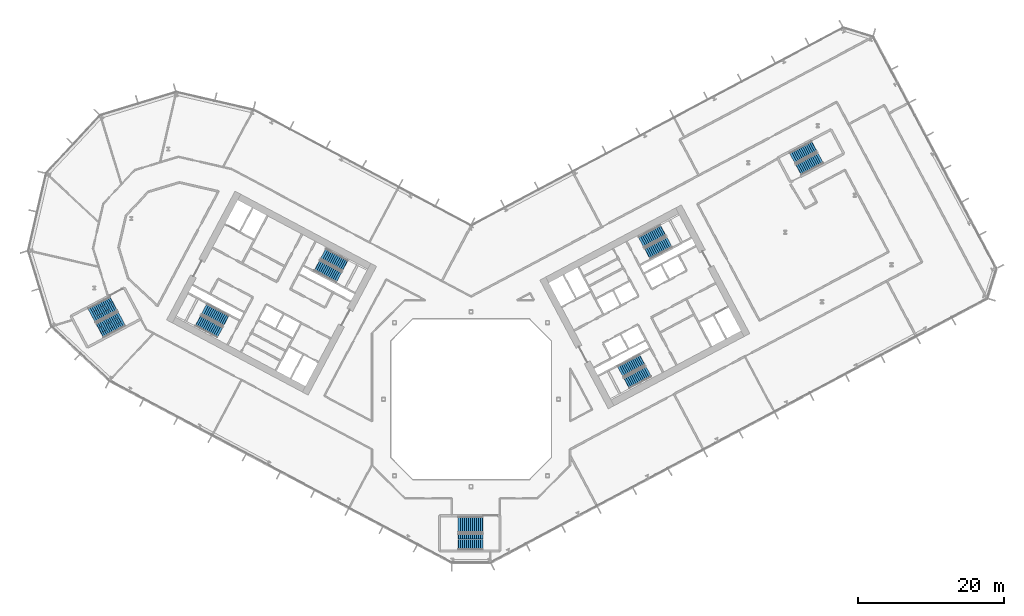
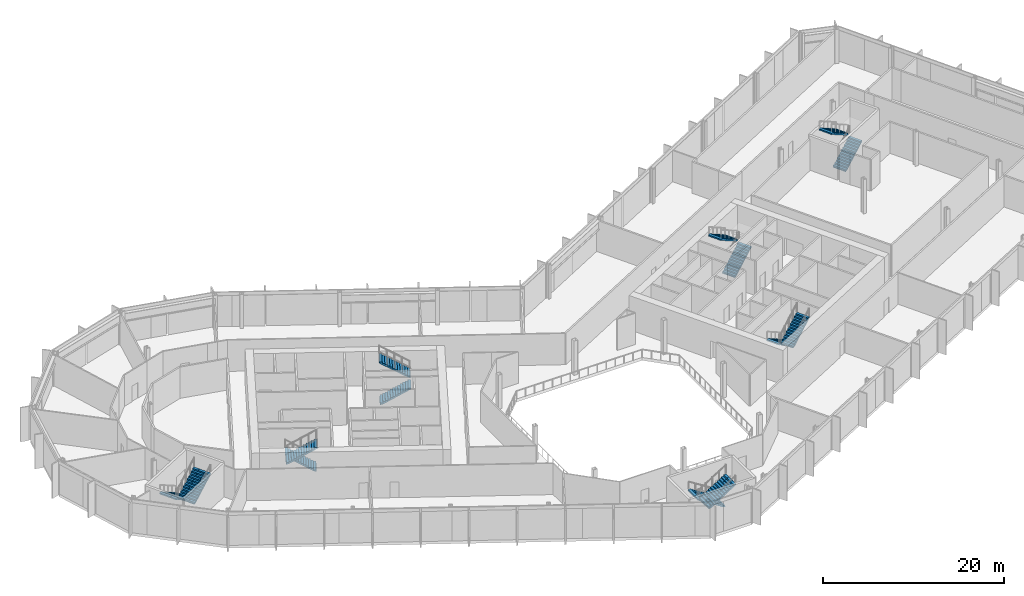
# One storey, part 19 of 30: 14 stair flights, 7 elements without a shape of their own.
"""IFC4 building model written with IfcOpenShell, lengths in metres."""

from ifc_helpers import new_model, si_unit, direction, frame, origin, place, context, subcontext, project, spatial, polyline, outline, extrude, material, type_object, element, aggregate, save


model = new_model("IFC4")

# Units and contexts
model_context = context("Model", 3, precision=1e-05, world=origin(), true_north=direction((0.0, 1.0)))
body_context = subcontext(model_context, "Body", "Model", "MODEL_VIEW")
ifc_project = project(units=[si_unit("LENGTHUNIT", "METRE"), si_unit("AREAUNIT", "SQUARE_METRE"), si_unit("VOLUMEUNIT", "CUBIC_METRE"), si_unit("PLANEANGLEUNIT", "RADIAN"), si_unit("MASSUNIT", "GRAM", prefix="KILO")], contexts=[model_context])

# Site, building, storey
site_placement = place(None, origin())
site = spatial("IfcSite", under=ifc_project, at=site_placement, CompositionType="ELEMENT")
building_placement = place(site_placement, origin())
building = spatial("IfcBuilding", under=site, at=building_placement, Name="Cormorant Relay Tower", CompositionType="ELEMENT")
storey_placement = place(building_placement, frame((0.0, 0.0, 89.199951171875)))
storey = spatial("IfcBuildingStorey", under=building, at=storey_placement, Name="L17", CompositionType="ELEMENT", Elevation=89.199951171875)

# Stair, stair flights
ifc_material_1 = material(Name="Concrete 40 MPa", Category="concrete")
stair_type_1 = type_object("IfcStairType", Name="Exit stair 1500", PredefinedType="HALF_TURN_STAIR", material=ifc_material_1)
stair_1_placement = place(storey_placement, origin())
stair_1 = element("IfcStair", 1, at=stair_1_placement, inside=storey, type_object=stair_type_1, Name="L17 Stair", PredefinedType="HALF_TURN_STAIR")
ifc_material_2 = material(Name="Concrete 40 MPa", Category="concrete")
stair_flight_type_1 = type_object("IfcStairFlightType", Name="Exit stair flight 1650", PredefinedType="STRAIGHT", material=ifc_material_2)
stair_flight_1_placement = place(storey_placement, frame((-21.114501953125, 18.33349609375, 0.0), z_axis=(0.0, 0.0, 1.0), x_axis=(0.882947592859, -0.469471562786, 0.0)))
stair_flight_1 = element("IfcStairFlight", 2, at=stair_flight_1_placement, type_object=stair_flight_type_1, Name="A1 flight 1", NumberOfRisers=13, NumberOfTreads=12, PredefinedType="STRAIGHT", RiserHeight=0.176923077, TreadLength=0.28, context=body_context, shape_type="SweptSolid", body=[
    extrude(outline(polyline([(-0.050048828125, -0.080078125), (-0.050048828125, 0.0), (0.0, 0.0), (0.0, 0.177001953125), (0.280029296875, 0.177001953125), (0.280029296875, 0.353759765625), (0.56005859375, 0.353759765625), (0.56005859375, 0.53076171875), (0.840087890625, 0.53076171875), (0.840087890625, 0.707763671875), (1.1201171875, 0.707763671875), (1.1201171875, 0.884521484375), (1.39990234375, 0.884521484375), (1.39990234375, 1.0615234375), (1.679931640625, 1.0615234375), (1.679931640625, 1.238525390625), (1.9599609375, 1.238525390625), (1.9599609375, 1.415283203125), (2.239990234375, 1.415283203125), (2.239990234375, 1.59228515625), (2.52001953125, 1.59228515625), (2.52001953125, 1.769287109375), (2.800048828125, 1.769287109375), (2.800048828125, 1.946044921875), (3.080078125, 1.946044921875), (3.080078125, 2.123046875), (3.360107421875, 2.123046875), (3.41015625, 2.123046875), (3.41015625, 1.94580078125), (3.360107421875, 1.94580078125), (0.280517578125, 0.0), (-0.050048828125, -0.080078125)])), frame((0.0, 0.824951171875, 0.0), z_axis=(0.0, -1.0, 0.0), x_axis=(1.0, 0.0, 0.0)), (0.0, 0.0, 1.0), 1.64990234375),
])
stair_flight_2_placement = place(storey_placement, frame((-17.302734375, 18.345458984375, 2.300048828125), z_axis=(0.0, 0.0, 1.0), x_axis=(-0.882947592859, 0.469471562786, 0.0)))
stair_flight_2 = element("IfcStairFlight", 3, at=stair_flight_2_placement, type_object=stair_flight_type_1, Name="A1 flight 2", NumberOfRisers=13, NumberOfTreads=12, PredefinedType="STRAIGHT", RiserHeight=0.176923077, TreadLength=0.28, context=body_context, shape_type="SweptSolid", body=[
    extrude(outline(polyline([(-0.050048828125, -0.080078125), (-0.050048828125, 0.0), (0.0, 0.0), (0.0, 0.177001953125), (0.280029296875, 0.177001953125), (0.280029296875, 0.353759765625), (0.56005859375, 0.353759765625), (0.56005859375, 0.53076171875), (0.840087890625, 0.53076171875), (0.840087890625, 0.707763671875), (1.1201171875, 0.707763671875), (1.1201171875, 0.884521484375), (1.39990234375, 0.884521484375), (1.39990234375, 1.0615234375), (1.679931640625, 1.0615234375), (1.679931640625, 1.238525390625), (1.9599609375, 1.238525390625), (1.9599609375, 1.415283203125), (2.239990234375, 1.415283203125), (2.239990234375, 1.59228515625), (2.52001953125, 1.59228515625), (2.52001953125, 1.769287109375), (2.800048828125, 1.769287109375), (2.800048828125, 1.946044921875), (3.080078125, 1.946044921875), (3.080078125, 2.123046875), (3.360107421875, 2.123046875), (3.41015625, 2.123046875), (3.41015625, 1.94580078125), (3.360107421875, 1.94580078125), (0.280517578125, 0.0), (-0.050048828125, -0.080078125)])), frame((0.0, 0.824951171875, 0.0), z_axis=(0.0, -1.0, 0.0), x_axis=(1.0, 0.0, 0.0)), (0.0, 0.0, 1.0), 1.64990234375),
])
aggregate(stair_1, [stair_flight_1, stair_flight_2])

stair_2_placement = place(storey_placement, origin())
stair_2 = element("IfcStair", 4, at=stair_2_placement, inside=storey, type_object=stair_type_1, Name="L17 Stair", PredefinedType="HALF_TURN_STAIR")
stair_flight_3_placement = place(storey_placement, frame((-33.62841796875, 10.773681640625, 0.0), z_axis=(0.0, 0.0, 1.0), x_axis=(-0.882947592859, 0.469471562786, 0.0)))
stair_flight_3 = element("IfcStairFlight", 5, at=stair_flight_3_placement, type_object=stair_flight_type_1, Name="A2 flight 1", NumberOfRisers=13, NumberOfTreads=12, PredefinedType="STRAIGHT", RiserHeight=0.176923077, TreadLength=0.28, context=body_context, shape_type="SweptSolid", body=[
    extrude(outline(polyline([(-0.050048828125, -0.080078125), (-0.050048828125, 0.0), (0.0, 0.0), (0.0, 0.177001953125), (0.280029296875, 0.177001953125), (0.280029296875, 0.353759765625), (0.56005859375, 0.353759765625), (0.56005859375, 0.53076171875), (0.840087890625, 0.53076171875), (0.840087890625, 0.707763671875), (1.1201171875, 0.707763671875), (1.1201171875, 0.884521484375), (1.39990234375, 0.884521484375), (1.39990234375, 1.0615234375), (1.679931640625, 1.0615234375), (1.679931640625, 1.238525390625), (1.9599609375, 1.238525390625), (1.9599609375, 1.415283203125), (2.239990234375, 1.415283203125), (2.239990234375, 1.59228515625), (2.52001953125, 1.59228515625), (2.52001953125, 1.769287109375), (2.800048828125, 1.769287109375), (2.800048828125, 1.946044921875), (3.080078125, 1.946044921875), (3.080078125, 2.123046875), (3.360107421875, 2.123046875), (3.41015625, 2.123046875), (3.41015625, 1.94580078125), (3.360107421875, 1.94580078125), (0.280517578125, 0.0), (-0.050048828125, -0.080078125)])), frame((0.0, 0.824951171875, 0.0), z_axis=(0.0, -1.0, 0.0), x_axis=(1.0, 0.0, 0.0)), (0.0, 0.0, 1.0), 1.64990234375),
])
stair_flight_4_placement = place(storey_placement, frame((-37.440185546875, 10.76171875, 2.300048828125), z_axis=(0.0, 0.0, 1.0), x_axis=(0.882947592859, -0.469471562786, 0.0)))
stair_flight_4 = element("IfcStairFlight", 6, at=stair_flight_4_placement, type_object=stair_flight_type_1, Name="A2 flight 2", NumberOfRisers=13, NumberOfTreads=12, PredefinedType="STRAIGHT", RiserHeight=0.176923077, TreadLength=0.28, context=body_context, shape_type="SweptSolid", body=[
    extrude(outline(polyline([(-0.050048828125, -0.080078125), (-0.050048828125, 0.0), (0.0, 0.0), (0.0, 0.177001953125), (0.280029296875, 0.177001953125), (0.280029296875, 0.353759765625), (0.56005859375, 0.353759765625), (0.56005859375, 0.53076171875), (0.840087890625, 0.53076171875), (0.840087890625, 0.707763671875), (1.1201171875, 0.707763671875), (1.1201171875, 0.884521484375), (1.39990234375, 0.884521484375), (1.39990234375, 1.0615234375), (1.679931640625, 1.0615234375), (1.679931640625, 1.238525390625), (1.9599609375, 1.238525390625), (1.9599609375, 1.415283203125), (2.239990234375, 1.415283203125), (2.239990234375, 1.59228515625), (2.52001953125, 1.59228515625), (2.52001953125, 1.769287109375), (2.800048828125, 1.769287109375), (2.800048828125, 1.946044921875), (3.080078125, 1.946044921875), (3.080078125, 2.123046875), (3.360107421875, 2.123046875), (3.41015625, 2.123046875), (3.41015625, 1.94580078125), (3.360107421875, 1.94580078125), (0.280517578125, 0.0), (-0.050048828125, -0.080078125)])), frame((0.0, 0.824951171875, 0.0), z_axis=(0.0, -1.0, 0.0), x_axis=(1.0, 0.0, 0.0)), (0.0, 0.0, 1.0), 1.64990234375),
])
aggregate(stair_2, [stair_flight_3, stair_flight_4])

stair_3_placement = place(storey_placement, origin())
stair_3 = element("IfcStair", 7, at=stair_3_placement, inside=storey, type_object=stair_type_1, Name="L17 Stair", PredefinedType="HALF_TURN_STAIR")
stair_flight_5_placement = place(storey_placement, frame((23.474365234375, 5.374755859375, 0.0), z_axis=(0.0, 0.0, 1.0), x_axis=(-0.882947592859, -0.469471562786, 0.0)))
stair_flight_5 = element("IfcStairFlight", 8, at=stair_flight_5_placement, type_object=stair_flight_type_1, Name="B1 flight 1", NumberOfRisers=13, NumberOfTreads=12, PredefinedType="STRAIGHT", RiserHeight=0.176923077, TreadLength=0.28, context=body_context, shape_type="SweptSolid", body=[
    extrude(outline(polyline([(-0.050048828125, -0.080078125), (-0.050048828125, 0.0), (0.0, 0.0), (0.0, 0.177001953125), (0.280029296875, 0.177001953125), (0.280029296875, 0.353759765625), (0.56005859375, 0.353759765625), (0.56005859375, 0.53076171875), (0.840087890625, 0.53076171875), (0.840087890625, 0.707763671875), (1.1201171875, 0.707763671875), (1.1201171875, 0.884521484375), (1.39990234375, 0.884521484375), (1.39990234375, 1.0615234375), (1.679931640625, 1.0615234375), (1.679931640625, 1.238525390625), (1.9599609375, 1.238525390625), (1.9599609375, 1.415283203125), (2.239990234375, 1.415283203125), (2.239990234375, 1.59228515625), (2.52001953125, 1.59228515625), (2.52001953125, 1.769287109375), (2.800048828125, 1.769287109375), (2.800048828125, 1.946044921875), (3.080078125, 1.946044921875), (3.080078125, 2.123046875), (3.360107421875, 2.123046875), (3.41015625, 2.123046875), (3.41015625, 1.94580078125), (3.360107421875, 1.94580078125), (0.280517578125, 0.0), (-0.050048828125, -0.080078125)])), frame((0.0, 0.824951171875, 0.0), z_axis=(0.0, -1.0, 0.0), x_axis=(1.0, 0.0, 0.0)), (0.0, 0.0, 1.0), 1.64990234375),
])
stair_flight_6_placement = place(storey_placement, frame((21.352783203125, 2.2080078125, 2.300048828125), z_axis=(0.0, 0.0, 1.0), x_axis=(0.882947592859, 0.469471562786, 0.0)))
stair_flight_6 = element("IfcStairFlight", 9, at=stair_flight_6_placement, type_object=stair_flight_type_1, Name="B1 flight 2", NumberOfRisers=13, NumberOfTreads=12, PredefinedType="STRAIGHT", RiserHeight=0.176923077, TreadLength=0.28, context=body_context, shape_type="SweptSolid", body=[
    extrude(outline(polyline([(-0.050048828125, -0.080078125), (-0.050048828125, 0.0), (0.0, 0.0), (0.0, 0.177001953125), (0.280029296875, 0.177001953125), (0.280029296875, 0.353759765625), (0.56005859375, 0.353759765625), (0.56005859375, 0.53076171875), (0.840087890625, 0.53076171875), (0.840087890625, 0.707763671875), (1.1201171875, 0.707763671875), (1.1201171875, 0.884521484375), (1.39990234375, 0.884521484375), (1.39990234375, 1.0615234375), (1.679931640625, 1.0615234375), (1.679931640625, 1.238525390625), (1.9599609375, 1.238525390625), (1.9599609375, 1.415283203125), (2.239990234375, 1.415283203125), (2.239990234375, 1.59228515625), (2.52001953125, 1.59228515625), (2.52001953125, 1.769287109375), (2.800048828125, 1.769287109375), (2.800048828125, 1.946044921875), (3.080078125, 1.946044921875), (3.080078125, 2.123046875), (3.360107421875, 2.123046875), (3.41015625, 2.123046875), (3.41015625, 1.94580078125), (3.360107421875, 1.94580078125), (0.280517578125, 0.0), (-0.050048828125, -0.080078125)])), frame((0.0, 0.824951171875, 0.0), z_axis=(0.0, -1.0, 0.0), x_axis=(1.0, 0.0, 0.0)), (0.0, 0.0, 1.0), 1.64990234375),
])
aggregate(stair_3, [stair_flight_5, stair_flight_6])

stair_4_placement = place(storey_placement, origin())
stair_4 = element("IfcStair", 10, at=stair_4_placement, inside=storey, type_object=stair_type_1, Name="L17 Stair", PredefinedType="HALF_TURN_STAIR")
stair_flight_7_placement = place(storey_placement, frame((24.20458984375, 19.976806640625, 0.0), z_axis=(0.0, 0.0, 1.0), x_axis=(0.882947592859, 0.469471562786, 0.0)))
stair_flight_7 = element("IfcStairFlight", 11, at=stair_flight_7_placement, type_object=stair_flight_type_1, Name="B2 flight 1", NumberOfRisers=13, NumberOfTreads=12, PredefinedType="STRAIGHT", RiserHeight=0.176923077, TreadLength=0.28, context=body_context, shape_type="SweptSolid", body=[
    extrude(outline(polyline([(-0.050048828125, -0.080078125), (-0.050048828125, 0.0), (0.0, 0.0), (0.0, 0.177001953125), (0.280029296875, 0.177001953125), (0.280029296875, 0.353759765625), (0.56005859375, 0.353759765625), (0.56005859375, 0.53076171875), (0.840087890625, 0.53076171875), (0.840087890625, 0.707763671875), (1.1201171875, 0.707763671875), (1.1201171875, 0.884521484375), (1.39990234375, 0.884521484375), (1.39990234375, 1.0615234375), (1.679931640625, 1.0615234375), (1.679931640625, 1.238525390625), (1.9599609375, 1.238525390625), (1.9599609375, 1.415283203125), (2.239990234375, 1.415283203125), (2.239990234375, 1.59228515625), (2.52001953125, 1.59228515625), (2.52001953125, 1.769287109375), (2.800048828125, 1.769287109375), (2.800048828125, 1.946044921875), (3.080078125, 1.946044921875), (3.080078125, 2.123046875), (3.360107421875, 2.123046875), (3.41015625, 2.123046875), (3.41015625, 1.94580078125), (3.360107421875, 1.94580078125), (0.280517578125, 0.0), (-0.050048828125, -0.080078125)])), frame((0.0, 0.824951171875, 0.0), z_axis=(0.0, -1.0, 0.0), x_axis=(1.0, 0.0, 0.0)), (0.0, 0.0, 1.0), 1.64990234375),
])
stair_flight_8_placement = place(storey_placement, frame((26.326416015625, 23.1435546875, 2.300048828125), z_axis=(0.0, 0.0, 1.0), x_axis=(-0.882947592859, -0.469471562786, 0.0)))
stair_flight_8 = element("IfcStairFlight", 12, at=stair_flight_8_placement, type_object=stair_flight_type_1, Name="B2 flight 2", NumberOfRisers=13, NumberOfTreads=12, PredefinedType="STRAIGHT", RiserHeight=0.176923077, TreadLength=0.28, context=body_context, shape_type="SweptSolid", body=[
    extrude(outline(polyline([(-0.050048828125, -0.080078125), (-0.050048828125, 0.0), (0.0, 0.0), (0.0, 0.177001953125), (0.280029296875, 0.177001953125), (0.280029296875, 0.353759765625), (0.56005859375, 0.353759765625), (0.56005859375, 0.53076171875), (0.840087890625, 0.53076171875), (0.840087890625, 0.707763671875), (1.1201171875, 0.707763671875), (1.1201171875, 0.884521484375), (1.39990234375, 0.884521484375), (1.39990234375, 1.0615234375), (1.679931640625, 1.0615234375), (1.679931640625, 1.238525390625), (1.9599609375, 1.238525390625), (1.9599609375, 1.415283203125), (2.239990234375, 1.415283203125), (2.239990234375, 1.59228515625), (2.52001953125, 1.59228515625), (2.52001953125, 1.769287109375), (2.800048828125, 1.769287109375), (2.800048828125, 1.946044921875), (3.080078125, 1.946044921875), (3.080078125, 2.123046875), (3.360107421875, 2.123046875), (3.41015625, 2.123046875), (3.41015625, 1.94580078125), (3.360107421875, 1.94580078125), (0.280517578125, 0.0), (-0.050048828125, -0.080078125)])), frame((0.0, 0.824951171875, 0.0), z_axis=(0.0, -1.0, 0.0), x_axis=(1.0, 0.0, 0.0)), (0.0, 0.0, 1.0), 1.64990234375),
])
aggregate(stair_4, [stair_flight_7, stair_flight_8])

stair_5_placement = place(storey_placement, origin())
stair_5 = element("IfcStair", 13, at=stair_5_placement, inside=storey, type_object=stair_type_1, Name="L17 Stair", PredefinedType="HALF_TURN_STAIR")
stair_flight_9_placement = place(storey_placement, frame((44.947509765625, 31.502197265625, 0.0), z_axis=(0.0, 0.0, 1.0), x_axis=(0.882947502727, 0.4694717323, 0.0)))
stair_flight_9 = element("IfcStairFlight", 14, at=stair_flight_9_placement, type_object=stair_flight_type_1, Name="RB1 flight 1", NumberOfRisers=13, NumberOfTreads=12, PredefinedType="STRAIGHT", RiserHeight=0.176923077, TreadLength=0.28, context=body_context, shape_type="SweptSolid", body=[
    extrude(outline(polyline([(-0.050048828125, -0.080078125), (-0.050048828125, 0.0), (0.0, 0.0), (0.0, 0.177001953125), (0.280029296875, 0.177001953125), (0.280029296875, 0.353759765625), (0.56005859375, 0.353759765625), (0.56005859375, 0.53076171875), (0.840087890625, 0.53076171875), (0.840087890625, 0.707763671875), (1.1201171875, 0.707763671875), (1.1201171875, 0.884521484375), (1.39990234375, 0.884521484375), (1.39990234375, 1.0615234375), (1.679931640625, 1.0615234375), (1.679931640625, 1.238525390625), (1.9599609375, 1.238525390625), (1.9599609375, 1.415283203125), (2.239990234375, 1.415283203125), (2.239990234375, 1.59228515625), (2.52001953125, 1.59228515625), (2.52001953125, 1.769287109375), (2.800048828125, 1.769287109375), (2.800048828125, 1.946044921875), (3.080078125, 1.946044921875), (3.080078125, 2.123046875), (3.360107421875, 2.123046875), (3.41015625, 2.123046875), (3.41015625, 1.94580078125), (3.360107421875, 1.94580078125), (0.280517578125, 0.0), (-0.050048828125, -0.080078125)])), frame((0.0, 0.824951171875, 0.0), z_axis=(0.0, -1.0, 0.0), x_axis=(1.0, 0.0, 0.0)), (0.0, 0.0, 1.0), 1.64990234375),
])
stair_flight_10_placement = place(storey_placement, frame((47.0693359375, 34.668701171875, 2.300048828125), z_axis=(0.0, 0.0, 1.0), x_axis=(-0.882947502727, -0.4694717323, 0.0)))
stair_flight_10 = element("IfcStairFlight", 15, at=stair_flight_10_placement, type_object=stair_flight_type_1, Name="RB1 flight 2", NumberOfRisers=13, NumberOfTreads=12, PredefinedType="STRAIGHT", RiserHeight=0.176923077, TreadLength=0.28, context=body_context, shape_type="SweptSolid", body=[
    extrude(outline(polyline([(-0.050048828125, -0.080078125), (-0.050048828125, 0.0), (0.0, 0.0), (0.0, 0.177001953125), (0.280029296875, 0.177001953125), (0.280029296875, 0.353759765625), (0.56005859375, 0.353759765625), (0.56005859375, 0.53076171875), (0.840087890625, 0.53076171875), (0.840087890625, 0.707763671875), (1.1201171875, 0.707763671875), (1.1201171875, 0.884521484375), (1.39990234375, 0.884521484375), (1.39990234375, 1.0615234375), (1.679931640625, 1.0615234375), (1.679931640625, 1.238525390625), (1.9599609375, 1.238525390625), (1.9599609375, 1.415283203125), (2.239990234375, 1.415283203125), (2.239990234375, 1.59228515625), (2.52001953125, 1.59228515625), (2.52001953125, 1.769287109375), (2.800048828125, 1.769287109375), (2.800048828125, 1.946044921875), (3.080078125, 1.946044921875), (3.080078125, 2.123046875), (3.360107421875, 2.123046875), (3.41015625, 2.123046875), (3.41015625, 1.94580078125), (3.360107421875, 1.94580078125), (0.280517578125, 0.0), (-0.050048828125, -0.080078125)])), frame((0.0, 0.824951171875, 0.0), z_axis=(0.0, -1.0, 0.0), x_axis=(1.0, 0.0, 0.0)), (0.0, 0.0, 1.0), 1.64990234375),
])
aggregate(stair_5, [stair_flight_9, stair_flight_10])

ifc_material_3 = material(Name="Concrete 40 MPa", Category="concrete")
stair_type_2 = type_object("IfcStairType", Name="Remote exit stair 2200", PredefinedType="HALF_TURN_STAIR", material=ifc_material_3)
stair_6_placement = place(storey_placement, origin())
stair_6 = element("IfcStair", 16, at=stair_6_placement, inside=storey, type_object=stair_type_2, Name="L17 Stair", PredefinedType="HALF_TURN_STAIR")
ifc_material_4 = material(Name="Concrete 40 MPa", Category="concrete")
stair_flight_type_2 = type_object("IfcStairFlightType", Name="Remote exit stair flight 2200", PredefinedType="STRAIGHT", material=ifc_material_4)
stair_flight_11_placement = place(storey_placement, frame((1.60009765625, -17.22509765625, 0.0), z_axis=(0.0, 0.0, 1.0), x_axis=(-1.0, 0.0, 0.0)))
stair_flight_11 = element("IfcStairFlight", 17, at=stair_flight_11_placement, type_object=stair_flight_type_2, Name="RK1 flight 1", NumberOfRisers=13, NumberOfTreads=12, PredefinedType="STRAIGHT", RiserHeight=0.176923077, TreadLength=0.28, context=body_context, shape_type="SweptSolid", body=[
    extrude(outline(polyline([(-0.050048828125, -0.080078125), (-0.050048828125, 0.0), (0.0, 0.0), (0.0, 0.177001953125), (0.280029296875, 0.177001953125), (0.280029296875, 0.353759765625), (0.56005859375, 0.353759765625), (0.56005859375, 0.53076171875), (0.840087890625, 0.53076171875), (0.840087890625, 0.707763671875), (1.1201171875, 0.707763671875), (1.1201171875, 0.884521484375), (1.39990234375, 0.884521484375), (1.39990234375, 1.0615234375), (1.679931640625, 1.0615234375), (1.679931640625, 1.238525390625), (1.9599609375, 1.238525390625), (1.9599609375, 1.415283203125), (2.239990234375, 1.415283203125), (2.239990234375, 1.59228515625), (2.52001953125, 1.59228515625), (2.52001953125, 1.769287109375), (2.800048828125, 1.769287109375), (2.800048828125, 1.946044921875), (3.080078125, 1.946044921875), (3.080078125, 2.123046875), (3.360107421875, 2.123046875), (3.41015625, 2.123046875), (3.41015625, 1.94580078125), (3.360107421875, 1.94580078125), (0.280517578125, 0.0), (-0.050048828125, -0.080078125)])), frame((0.0, 1.10009765625, 0.0), z_axis=(0.0, -1.0, 0.0), x_axis=(1.0, 0.0, 0.0)), (0.0, 0.0, 1.0), 0.719970703125),
    extrude(outline(polyline([(-0.050048828125, -0.080078125), (-0.050048828125, 0.0), (0.0, 0.0), (0.0, 0.177001953125), (0.280029296875, 0.177001953125), (0.280029296875, 0.353759765625), (0.56005859375, 0.353759765625), (0.56005859375, 0.53076171875), (0.840087890625, 0.53076171875), (0.840087890625, 0.707763671875), (1.1201171875, 0.707763671875), (1.1201171875, 0.884521484375), (1.39990234375, 0.884521484375), (1.39990234375, 1.0615234375), (1.679931640625, 1.0615234375), (1.679931640625, 1.238525390625), (1.9599609375, 1.238525390625), (1.9599609375, 1.415283203125), (2.239990234375, 1.415283203125), (2.239990234375, 1.59228515625), (2.52001953125, 1.59228515625), (2.52001953125, 1.769287109375), (2.800048828125, 1.769287109375), (2.800048828125, 1.946044921875), (3.080078125, 1.946044921875), (3.080078125, 2.123046875), (3.360107421875, 2.123046875), (3.41015625, 2.123046875), (3.41015625, 1.94580078125), (3.360107421875, 1.94580078125), (0.280517578125, 0.0), (-0.050048828125, -0.080078125)])), frame((0.0, 0.360107421875, 0.0), z_axis=(0.0, -1.0, 0.0), x_axis=(1.0, 0.0, 0.0)), (0.0, 0.0, 1.0), 0.719970703125),
    extrude(outline(polyline([(-0.050048828125, -0.080078125), (-0.050048828125, 0.0), (0.0, 0.0), (0.0, 0.177001953125), (0.280029296875, 0.177001953125), (0.280029296875, 0.353759765625), (0.56005859375, 0.353759765625), (0.56005859375, 0.53076171875), (0.840087890625, 0.53076171875), (0.840087890625, 0.707763671875), (1.1201171875, 0.707763671875), (1.1201171875, 0.884521484375), (1.39990234375, 0.884521484375), (1.39990234375, 1.0615234375), (1.679931640625, 1.0615234375), (1.679931640625, 1.238525390625), (1.9599609375, 1.238525390625), (1.9599609375, 1.415283203125), (2.239990234375, 1.415283203125), (2.239990234375, 1.59228515625), (2.52001953125, 1.59228515625), (2.52001953125, 1.769287109375), (2.800048828125, 1.769287109375), (2.800048828125, 1.946044921875), (3.080078125, 1.946044921875), (3.080078125, 2.123046875), (3.360107421875, 2.123046875), (3.41015625, 2.123046875), (3.41015625, 1.94580078125), (3.360107421875, 1.94580078125), (0.280517578125, 0.0), (-0.050048828125, -0.080078125)])), frame((0.0, -0.3798828125, 0.0), z_axis=(0.0, -1.0, 0.0), x_axis=(1.0, 0.0, 0.0)), (0.0, 0.0, 1.0), 0.719970703125),
])
stair_flight_12_placement = place(storey_placement, frame((-1.760009765625, -19.574951171875, 2.300048828125), z_axis=(0.0, 0.0, 1.0), x_axis=(1.0, 0.0, 0.0)))
stair_flight_12 = element("IfcStairFlight", 18, at=stair_flight_12_placement, type_object=stair_flight_type_2, Name="RK1 flight 2", NumberOfRisers=13, NumberOfTreads=12, PredefinedType="STRAIGHT", RiserHeight=0.176923077, TreadLength=0.28, context=body_context, shape_type="SweptSolid", body=[
    extrude(outline(polyline([(-0.050048828125, -0.080078125), (-0.050048828125, 0.0), (0.0, 0.0), (0.0, 0.177001953125), (0.280029296875, 0.177001953125), (0.280029296875, 0.353759765625), (0.56005859375, 0.353759765625), (0.56005859375, 0.53076171875), (0.840087890625, 0.53076171875), (0.840087890625, 0.707763671875), (1.1201171875, 0.707763671875), (1.1201171875, 0.884521484375), (1.39990234375, 0.884521484375), (1.39990234375, 1.0615234375), (1.679931640625, 1.0615234375), (1.679931640625, 1.238525390625), (1.9599609375, 1.238525390625), (1.9599609375, 1.415283203125), (2.239990234375, 1.415283203125), (2.239990234375, 1.59228515625), (2.52001953125, 1.59228515625), (2.52001953125, 1.769287109375), (2.800048828125, 1.769287109375), (2.800048828125, 1.946044921875), (3.080078125, 1.946044921875), (3.080078125, 2.123046875), (3.360107421875, 2.123046875), (3.41015625, 2.123046875), (3.41015625, 1.94580078125), (3.360107421875, 1.94580078125), (0.280517578125, 0.0), (-0.050048828125, -0.080078125)])), frame((0.0, 1.10009765625, 0.0), z_axis=(0.0, -1.0, 0.0), x_axis=(1.0, 0.0, 0.0)), (0.0, 0.0, 1.0), 0.719970703125),
    extrude(outline(polyline([(-0.050048828125, -0.080078125), (-0.050048828125, 0.0), (0.0, 0.0), (0.0, 0.177001953125), (0.280029296875, 0.177001953125), (0.280029296875, 0.353759765625), (0.56005859375, 0.353759765625), (0.56005859375, 0.53076171875), (0.840087890625, 0.53076171875), (0.840087890625, 0.707763671875), (1.1201171875, 0.707763671875), (1.1201171875, 0.884521484375), (1.39990234375, 0.884521484375), (1.39990234375, 1.0615234375), (1.679931640625, 1.0615234375), (1.679931640625, 1.238525390625), (1.9599609375, 1.238525390625), (1.9599609375, 1.415283203125), (2.239990234375, 1.415283203125), (2.239990234375, 1.59228515625), (2.52001953125, 1.59228515625), (2.52001953125, 1.769287109375), (2.800048828125, 1.769287109375), (2.800048828125, 1.946044921875), (3.080078125, 1.946044921875), (3.080078125, 2.123046875), (3.360107421875, 2.123046875), (3.41015625, 2.123046875), (3.41015625, 1.94580078125), (3.360107421875, 1.94580078125), (0.280517578125, 0.0), (-0.050048828125, -0.080078125)])), frame((0.0, 0.360107421875, 0.0), z_axis=(0.0, -1.0, 0.0), x_axis=(1.0, 0.0, 0.0)), (0.0, 0.0, 1.0), 0.719970703125),
    extrude(outline(polyline([(-0.050048828125, -0.080078125), (-0.050048828125, 0.0), (0.0, 0.0), (0.0, 0.177001953125), (0.280029296875, 0.177001953125), (0.280029296875, 0.353759765625), (0.56005859375, 0.353759765625), (0.56005859375, 0.53076171875), (0.840087890625, 0.53076171875), (0.840087890625, 0.707763671875), (1.1201171875, 0.707763671875), (1.1201171875, 0.884521484375), (1.39990234375, 0.884521484375), (1.39990234375, 1.0615234375), (1.679931640625, 1.0615234375), (1.679931640625, 1.238525390625), (1.9599609375, 1.238525390625), (1.9599609375, 1.415283203125), (2.239990234375, 1.415283203125), (2.239990234375, 1.59228515625), (2.52001953125, 1.59228515625), (2.52001953125, 1.769287109375), (2.800048828125, 1.769287109375), (2.800048828125, 1.946044921875), (3.080078125, 1.946044921875), (3.080078125, 2.123046875), (3.360107421875, 2.123046875), (3.41015625, 2.123046875), (3.41015625, 1.94580078125), (3.360107421875, 1.94580078125), (0.280517578125, 0.0), (-0.050048828125, -0.080078125)])), frame((0.0, -0.3798828125, 0.0), z_axis=(0.0, -1.0, 0.0), x_axis=(1.0, 0.0, 0.0)), (0.0, 0.0, 1.0), 0.719970703125),
])
aggregate(stair_6, [stair_flight_11, stair_flight_12])

stair_7_placement = place(storey_placement, origin())
stair_7 = element("IfcStair", 19, at=stair_7_placement, inside=storey, type_object=stair_type_2, Name="L17 Stair", PredefinedType="HALF_TURN_STAIR")
stair_flight_13_placement = place(storey_placement, frame((-49.062255859375, 13.08251953125, 0.0), z_axis=(0.0, 0.0, 1.0), x_axis=(-0.882947502727, -0.4694717323, 0.0)))
stair_flight_13 = element("IfcStairFlight", 20, at=stair_flight_13_placement, type_object=stair_flight_type_2, Name="RP1 flight 1", NumberOfRisers=13, NumberOfTreads=12, PredefinedType="STRAIGHT", RiserHeight=0.176923077, TreadLength=0.28, context=body_context, shape_type="SweptSolid", body=[
    extrude(outline(polyline([(-0.050048828125, -0.080078125), (-0.050048828125, 0.0), (0.0, 0.0), (0.0, 0.177001953125), (0.280029296875, 0.177001953125), (0.280029296875, 0.353759765625), (0.56005859375, 0.353759765625), (0.56005859375, 0.53076171875), (0.840087890625, 0.53076171875), (0.840087890625, 0.707763671875), (1.1201171875, 0.707763671875), (1.1201171875, 0.884521484375), (1.39990234375, 0.884521484375), (1.39990234375, 1.0615234375), (1.679931640625, 1.0615234375), (1.679931640625, 1.238525390625), (1.9599609375, 1.238525390625), (1.9599609375, 1.415283203125), (2.239990234375, 1.415283203125), (2.239990234375, 1.59228515625), (2.52001953125, 1.59228515625), (2.52001953125, 1.769287109375), (2.800048828125, 1.769287109375), (2.800048828125, 1.946044921875), (3.080078125, 1.946044921875), (3.080078125, 2.123046875), (3.360107421875, 2.123046875), (3.41015625, 2.123046875), (3.41015625, 1.94580078125), (3.360107421875, 1.94580078125), (0.280517578125, 0.0), (-0.050048828125, -0.080078125)])), frame((0.0, 1.10009765625, 0.0), z_axis=(0.0, -1.0, 0.0), x_axis=(1.0, 0.0, 0.0)), (0.0, 0.0, 1.0), 0.719970703125),
    extrude(outline(polyline([(-0.050048828125, -0.080078125), (-0.050048828125, 0.0), (0.0, 0.0), (0.0, 0.177001953125), (0.280029296875, 0.177001953125), (0.280029296875, 0.353759765625), (0.56005859375, 0.353759765625), (0.56005859375, 0.53076171875), (0.840087890625, 0.53076171875), (0.840087890625, 0.707763671875), (1.1201171875, 0.707763671875), (1.1201171875, 0.884521484375), (1.39990234375, 0.884521484375), (1.39990234375, 1.0615234375), (1.679931640625, 1.0615234375), (1.679931640625, 1.238525390625), (1.9599609375, 1.238525390625), (1.9599609375, 1.415283203125), (2.239990234375, 1.415283203125), (2.239990234375, 1.59228515625), (2.52001953125, 1.59228515625), (2.52001953125, 1.769287109375), (2.800048828125, 1.769287109375), (2.800048828125, 1.946044921875), (3.080078125, 1.946044921875), (3.080078125, 2.123046875), (3.360107421875, 2.123046875), (3.41015625, 2.123046875), (3.41015625, 1.94580078125), (3.360107421875, 1.94580078125), (0.280517578125, 0.0), (-0.050048828125, -0.080078125)])), frame((0.0, 0.360107421875, 0.0), z_axis=(0.0, -1.0, 0.0), x_axis=(1.0, 0.0, 0.0)), (0.0, 0.0, 1.0), 0.719970703125),
    extrude(outline(polyline([(-0.050048828125, -0.080078125), (-0.050048828125, 0.0), (0.0, 0.0), (0.0, 0.177001953125), (0.280029296875, 0.177001953125), (0.280029296875, 0.353759765625), (0.56005859375, 0.353759765625), (0.56005859375, 0.53076171875), (0.840087890625, 0.53076171875), (0.840087890625, 0.707763671875), (1.1201171875, 0.707763671875), (1.1201171875, 0.884521484375), (1.39990234375, 0.884521484375), (1.39990234375, 1.0615234375), (1.679931640625, 1.0615234375), (1.679931640625, 1.238525390625), (1.9599609375, 1.238525390625), (1.9599609375, 1.415283203125), (2.239990234375, 1.415283203125), (2.239990234375, 1.59228515625), (2.52001953125, 1.59228515625), (2.52001953125, 1.769287109375), (2.800048828125, 1.769287109375), (2.800048828125, 1.946044921875), (3.080078125, 1.946044921875), (3.080078125, 2.123046875), (3.360107421875, 2.123046875), (3.41015625, 2.123046875), (3.41015625, 1.94580078125), (3.360107421875, 1.94580078125), (0.280517578125, 0.0), (-0.050048828125, -0.080078125)])), frame((0.0, -0.3798828125, 0.0), z_axis=(0.0, -1.0, 0.0), x_axis=(1.0, 0.0, 0.0)), (0.0, 0.0, 1.0), 0.719970703125),
])
stair_flight_14_placement = place(storey_placement, frame((-50.92578125, 9.43017578125, 2.300048828125), z_axis=(0.0, 0.0, 1.0), x_axis=(0.882947502727, 0.4694717323, 0.0)))
stair_flight_14 = element("IfcStairFlight", 21, at=stair_flight_14_placement, type_object=stair_flight_type_2, Name="RP1 flight 2", NumberOfRisers=13, NumberOfTreads=12, PredefinedType="STRAIGHT", RiserHeight=0.176923077, TreadLength=0.28, context=body_context, shape_type="SweptSolid", body=[
    extrude(outline(polyline([(-0.050048828125, -0.080078125), (-0.050048828125, 0.0), (0.0, 0.0), (0.0, 0.177001953125), (0.280029296875, 0.177001953125), (0.280029296875, 0.353759765625), (0.56005859375, 0.353759765625), (0.56005859375, 0.53076171875), (0.840087890625, 0.53076171875), (0.840087890625, 0.707763671875), (1.1201171875, 0.707763671875), (1.1201171875, 0.884521484375), (1.39990234375, 0.884521484375), (1.39990234375, 1.0615234375), (1.679931640625, 1.0615234375), (1.679931640625, 1.238525390625), (1.9599609375, 1.238525390625), (1.9599609375, 1.415283203125), (2.239990234375, 1.415283203125), (2.239990234375, 1.59228515625), (2.52001953125, 1.59228515625), (2.52001953125, 1.769287109375), (2.800048828125, 1.769287109375), (2.800048828125, 1.946044921875), (3.080078125, 1.946044921875), (3.080078125, 2.123046875), (3.360107421875, 2.123046875), (3.41015625, 2.123046875), (3.41015625, 1.94580078125), (3.360107421875, 1.94580078125), (0.280517578125, 0.0), (-0.050048828125, -0.080078125)])), frame((0.0, 1.10009765625, 0.0), z_axis=(0.0, -1.0, 0.0), x_axis=(1.0, 0.0, 0.0)), (0.0, 0.0, 1.0), 0.719970703125),
    extrude(outline(polyline([(-0.050048828125, -0.080078125), (-0.050048828125, 0.0), (0.0, 0.0), (0.0, 0.177001953125), (0.280029296875, 0.177001953125), (0.280029296875, 0.353759765625), (0.56005859375, 0.353759765625), (0.56005859375, 0.53076171875), (0.840087890625, 0.53076171875), (0.840087890625, 0.707763671875), (1.1201171875, 0.707763671875), (1.1201171875, 0.884521484375), (1.39990234375, 0.884521484375), (1.39990234375, 1.0615234375), (1.679931640625, 1.0615234375), (1.679931640625, 1.238525390625), (1.9599609375, 1.238525390625), (1.9599609375, 1.415283203125), (2.239990234375, 1.415283203125), (2.239990234375, 1.59228515625), (2.52001953125, 1.59228515625), (2.52001953125, 1.769287109375), (2.800048828125, 1.769287109375), (2.800048828125, 1.946044921875), (3.080078125, 1.946044921875), (3.080078125, 2.123046875), (3.360107421875, 2.123046875), (3.41015625, 2.123046875), (3.41015625, 1.94580078125), (3.360107421875, 1.94580078125), (0.280517578125, 0.0), (-0.050048828125, -0.080078125)])), frame((0.0, 0.360107421875, 0.0), z_axis=(0.0, -1.0, 0.0), x_axis=(1.0, 0.0, 0.0)), (0.0, 0.0, 1.0), 0.719970703125),
    extrude(outline(polyline([(-0.050048828125, -0.080078125), (-0.050048828125, 0.0), (0.0, 0.0), (0.0, 0.177001953125), (0.280029296875, 0.177001953125), (0.280029296875, 0.353759765625), (0.56005859375, 0.353759765625), (0.56005859375, 0.53076171875), (0.840087890625, 0.53076171875), (0.840087890625, 0.707763671875), (1.1201171875, 0.707763671875), (1.1201171875, 0.884521484375), (1.39990234375, 0.884521484375), (1.39990234375, 1.0615234375), (1.679931640625, 1.0615234375), (1.679931640625, 1.238525390625), (1.9599609375, 1.238525390625), (1.9599609375, 1.415283203125), (2.239990234375, 1.415283203125), (2.239990234375, 1.59228515625), (2.52001953125, 1.59228515625), (2.52001953125, 1.769287109375), (2.800048828125, 1.769287109375), (2.800048828125, 1.946044921875), (3.080078125, 1.946044921875), (3.080078125, 2.123046875), (3.360107421875, 2.123046875), (3.41015625, 2.123046875), (3.41015625, 1.94580078125), (3.360107421875, 1.94580078125), (0.280517578125, 0.0), (-0.050048828125, -0.080078125)])), frame((0.0, -0.3798828125, 0.0), z_axis=(0.0, -1.0, 0.0), x_axis=(1.0, 0.0, 0.0)), (0.0, 0.0, 1.0), 0.719970703125),
])
aggregate(stair_7, [stair_flight_13, stair_flight_14])

save(model, "model.ifc")
